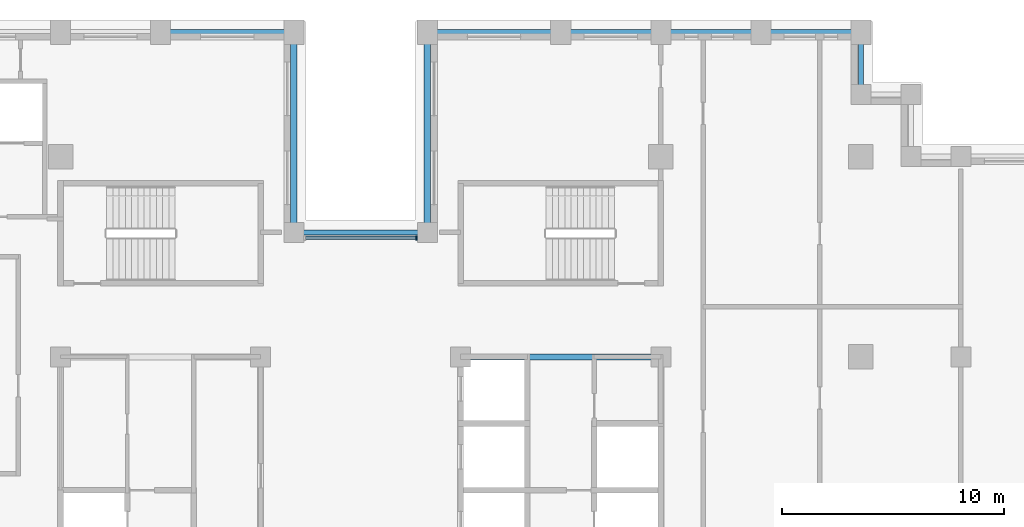
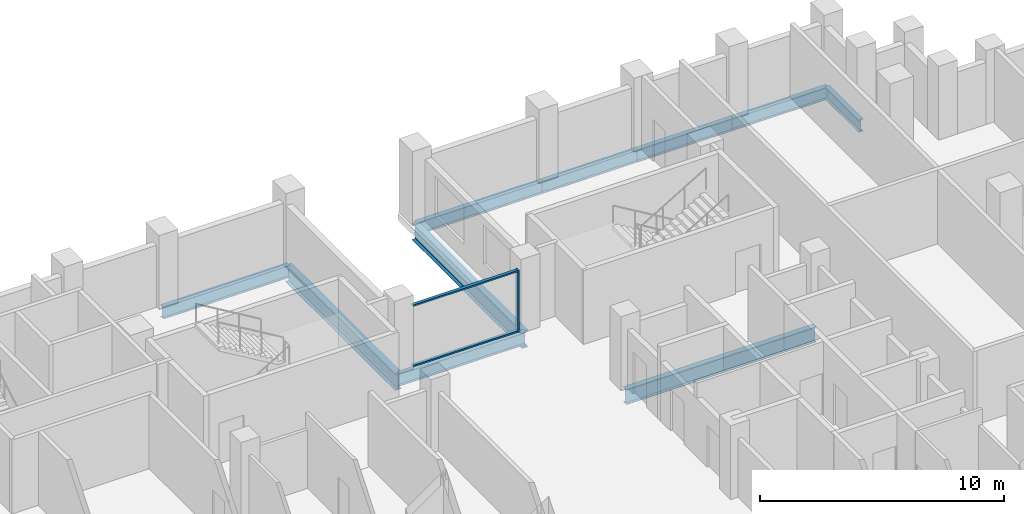
# One storey, part 4 of 15: 10 beams, 3 members, 1 element without a shape of its own.
"""IFC4 building model written with IfcOpenShell, lengths in metres."""

from ifc_helpers import new_model, si_unit, direction, frame, origin, origin_2d, place, context, subcontext, project, spatial, rectangle, i_section, extrude, material, layer, layer_set, material_profile, profile_set, type_object, element, aggregate, save


model = new_model("IFC4")

# Units and contexts
model_context = context("Model", 3, precision=1e-05, world=origin(), true_north=direction((0.0, 1.0)))
body_context = subcontext(model_context, "Body", "Model", "MODEL_VIEW")
ifc_project = project(units=[si_unit("LENGTHUNIT", "METRE"), si_unit("AREAUNIT", "SQUARE_METRE"), si_unit("VOLUMEUNIT", "CUBIC_METRE"), si_unit("PLANEANGLEUNIT", "RADIAN"), si_unit("MASSUNIT", "GRAM", prefix="KILO")], contexts=[model_context])

# Site, building, storey
site_placement = place(None, origin())
site = spatial("IfcSite", under=ifc_project, at=site_placement, CompositionType="ELEMENT")
building_placement = place(site_placement, origin())
building = spatial("IfcBuilding", under=site, at=building_placement, Name="Corbelhall Arena Tower", CompositionType="ELEMENT")
storey_placement = place(building_placement, frame((0.0, 0.0, 162.0)))
storey = spatial("IfcBuildingStorey", under=building, at=storey_placement, Name="L32", CompositionType="ELEMENT", Elevation=162.0)

# Curtain wall, members
ifc_material_1 = material(Name="Aluminium black anodised", Category="aluminium")
ifc_layer = layer(ifc_material_1, 0.199951171875)
ifc_layer_set = layer_set([ifc_layer], Name="EV-CW1 Slot back wall")
curtain_wall_type = type_object("IfcCurtainWallType", Name="EV-CW1 Slot back wall", PredefinedType="NOTDEFINED", material=ifc_layer_set)
curtain_wall_placement = place(storey_placement, origin())
curtain_wall = element("IfcCurtainWall", 1, at=curtain_wall_placement, inside=storey, type_object=curtain_wall_type, Name="Curtain wall CW1", PredefinedType="NOTDEFINED")
ifc_material_profile_1 = material_profile(ifc_material_1, rectangle(XDim=0.199951171875, YDim=0.074951171875, at=origin_2d()))
ifc_profile_set_1 = profile_set([ifc_material_profile_1], Name="Aluminium black anodised")
member_type_1 = type_object("IfcMemberType", Name="EV-CW1-MULLION", PredefinedType="MULLION", material=ifc_profile_set_1)
member_1_placement = place(storey_placement, frame((2.512451171875, 14.35009765625, 0.0), z_axis=(0.0, 0.0, 1.0), x_axis=(0.0, -1.0, 0.0)))
member_1 = element("IfcMember", 2, at=member_1_placement, type_object=member_type_1, Name="CW1 mullion 1", PredefinedType="MULLION", context=body_context, shape_type="SweptSolid", body=[
    extrude(rectangle(XDim=0.199951171875, YDim=0.074951171875, at=origin_2d()), origin(), (0.0, 0.0, 1.0), 3.10009765625),
])
ifc_material_profile_2 = material_profile(ifc_material_1, rectangle(XDim=0.14990234375, YDim=0.074951171875, at=origin_2d()))
ifc_profile_set_2 = profile_set([ifc_material_profile_2], Name="Aluminium black anodised")
member_type_2 = type_object("IfcMemberType", Name="EV-CW1-TRANSOM", PredefinedType="USERDEFINED", material=ifc_profile_set_2)
member_2_placement = place(storey_placement, frame((2.47509765625, 14.35009765625, 0.03759765625), z_axis=(-1.0, 0.0, 0.0), x_axis=(0.0, -1.0, 0.0)))
member_2 = element("IfcMember", 3, at=member_2_placement, type_object=member_type_2, Name="CW1 transom 1.1", ObjectType="transom", PredefinedType="USERDEFINED", context=body_context, shape_type="SweptSolid", body=[
    extrude(rectangle(XDim=0.14990234375, YDim=0.074951171875, at=origin_2d()), origin(), (0.0, 0.0, 1.0), 4.9501953125),
])
member_3_placement = place(storey_placement, frame((2.47509765625, 14.35009765625, 3.0625), z_axis=(-1.0, 0.0, 0.0), x_axis=(0.0, -1.0, 0.0)))
member_3 = element("IfcMember", 4, at=member_3_placement, type_object=member_type_2, Name="CW1 transom 1.2", ObjectType="transom", PredefinedType="USERDEFINED", context=body_context, shape_type="SweptSolid", body=[
    extrude(rectangle(XDim=0.14990234375, YDim=0.074951171875, at=origin_2d()), origin(), (0.0, 0.0, 1.0), 4.9501953125),
])
aggregate(curtain_wall, [member_1, member_2, member_3])

# Beams
ifc_material_2 = material(Name="Steel ASTM A992 Gr50", Category="steel")
ifc_material_profile_3 = material_profile(ifc_material_2, i_section(OverallWidth=0.2666015625, OverallDepth=0.761962890625, WebThickness=0.014404296875, FlangeThickness=0.021484375, at=origin_2d()))
ifc_profile_set_3 = profile_set([ifc_material_profile_3], Name="Steel ASTM A992 Gr50")
beam_type_1 = type_object("IfcBeamType", Name="ST-BEAM-W30x116", PredefinedType="BEAM", material=ifc_profile_set_3)
beam_1_placement = place(storey_placement, frame((4.5, 9.0, -0.680908203125), z_axis=(1.0, 0.0, 0.0), x_axis=(0.0, 1.0, 0.0)))
element("IfcBeam", 5, at=beam_1_placement, inside=storey, type_object=beam_type_1, Name="Beam CEE 12", PredefinedType="BEAM", context=body_context, shape_type="SweptSolid", body=[
    extrude(i_section(OverallWidth=0.2666015625, OverallDepth=0.761962890625, WebThickness=0.014404296875, FlangeThickness=0.021484375, at=origin_2d()), origin(), (0.0, 0.0, 1.0), 9.0),
])
ifc_material_profile_4 = material_profile(ifc_material_2, i_section(OverallWidth=0.22900390625, OverallDepth=0.612060546875, WebThickness=0.011962890625, FlangeThickness=0.01953125, at=origin_2d()))
ifc_profile_set_4 = profile_set([ifc_material_profile_4], Name="Steel ASTM A992 Gr50")
beam_type_2 = type_object("IfcBeamType", Name="ST-SPANDREL-W24x84", PredefinedType="SPANDREL", material=ifc_profile_set_4)
beam_2_placement = place(storey_placement, frame((3.0, 23.60009765625, -0.60595703125), z_axis=(1.0, 0.0, 0.0), x_axis=(0.0, 1.0, 0.0)))
element("IfcBeam", 6, at=beam_2_placement, inside=storey, type_object=beam_type_2, Name="Beam SP 17", PredefinedType="SPANDREL", context=body_context, shape_type="SweptSolid", body=[
    extrude(i_section(OverallWidth=0.22900390625, OverallDepth=0.612060546875, WebThickness=0.011962890625, FlangeThickness=0.01953125, at=origin_2d()), origin(), (0.0, 0.0, 1.0), 6.0),
])
for number, where, z_axis, x_axis, name in (
    (7, (9.0, 23.60009765625, -0.60595703125), (1.0, 0.0, 0.0), (0.0, 1.0, 0.0), "Beam SP 18"),
    (8, (13.5, 23.60009765625, -0.60595703125), (1.0, 0.0, 0.0), (0.0, 1.0, 0.0), "Beam SP 19"),
    (9, (18.0, 23.60009765625, -0.60595703125), (1.0, 0.0, 0.0), (0.0, 1.0, 0.0), "Beam SP 20"),
):
    element("IfcBeam", number, at=place(storey_placement, frame(where, z_axis=z_axis, x_axis=x_axis)), inside=storey, type_object=beam_type_2, Name=name, PredefinedType="SPANDREL", context=body_context, shape_type="SweptSolid", body=[
        extrude(i_section(OverallWidth=0.22900390625, OverallDepth=0.612060546875, WebThickness=0.011962890625, FlangeThickness=0.01953125, at=origin_2d()), origin(), (0.0, 0.0, 1.0), 4.5),
    ])
beam_3_placement = place(storey_placement, frame((22.5, 23.60009765625, -0.60595703125), z_axis=(0.0, -1.0, 0.0), x_axis=(1.0, 0.0, 0.0)))
element("IfcBeam", 10, at=beam_3_placement, inside=storey, type_object=beam_type_2, Name="Beam SP 21", PredefinedType="SPANDREL", context=body_context, shape_type="SweptSolid", body=[
    extrude(i_section(OverallWidth=0.22900390625, OverallDepth=0.612060546875, WebThickness=0.011962890625, FlangeThickness=0.01953125, at=origin_2d()), origin(), (0.0, 0.0, 1.0), 2.800048828125),
])
for number, where, z_axis, x_axis, name in (
    (11, (-9.0, 23.60009765625, -0.60595703125), (1.0, 0.0, 0.0), (0.0, 1.0, 0.0), "Beam SP 23"),
    (12, (-3.0, 14.60009765625, -0.60595703125), (1.0, 0.0, 0.0), (0.0, 1.0, 0.0), "Beam SP 40"),
):
    element("IfcBeam", number, at=place(storey_placement, frame(where, z_axis=z_axis, x_axis=x_axis)), inside=storey, type_object=beam_type_2, Name=name, PredefinedType="SPANDREL", context=body_context, shape_type="SweptSolid", body=[
        extrude(i_section(OverallWidth=0.22900390625, OverallDepth=0.612060546875, WebThickness=0.011962890625, FlangeThickness=0.01953125, at=origin_2d()), origin(), (0.0, 0.0, 1.0), 6.0),
    ])
ifc_material_profile_5 = material_profile(ifc_material_2, i_section(OverallWidth=0.2919921875, OverallDepth=0.845703125, WebThickness=0.015380859375, FlangeThickness=0.0244140625, at=origin_2d()))
ifc_profile_set_5 = profile_set([ifc_material_profile_5], Name="Steel ASTM A992 Gr50")
beam_type_3 = type_object("IfcBeamType", Name="ST-SPANDREL-W33x141", PredefinedType="SPANDREL", material=ifc_profile_set_5)
for number, where, z_axis, x_axis, name in (
    (13, (-3.0, 23.60009765625, -0.722900390625), (0.0, -1.0, 0.0), (1.0, 0.0, 0.0), "Beam SP 22"),
    (14, (3.0, 14.60009765625, -0.722900390625), (0.0, 1.0, 0.0), (-1.0, 0.0, 0.0), "Beam SP 39"),
):
    element("IfcBeam", number, at=place(storey_placement, frame(where, z_axis=z_axis, x_axis=x_axis)), inside=storey, type_object=beam_type_3, Name=name, PredefinedType="SPANDREL", context=body_context, shape_type="SweptSolid", body=[
        extrude(i_section(OverallWidth=0.2919921875, OverallDepth=0.845703125, WebThickness=0.015380859375, FlangeThickness=0.0244140625, at=origin_2d()), origin(), (0.0, 0.0, 1.0), 9.0),
    ])

save(model, "model.ifc")
